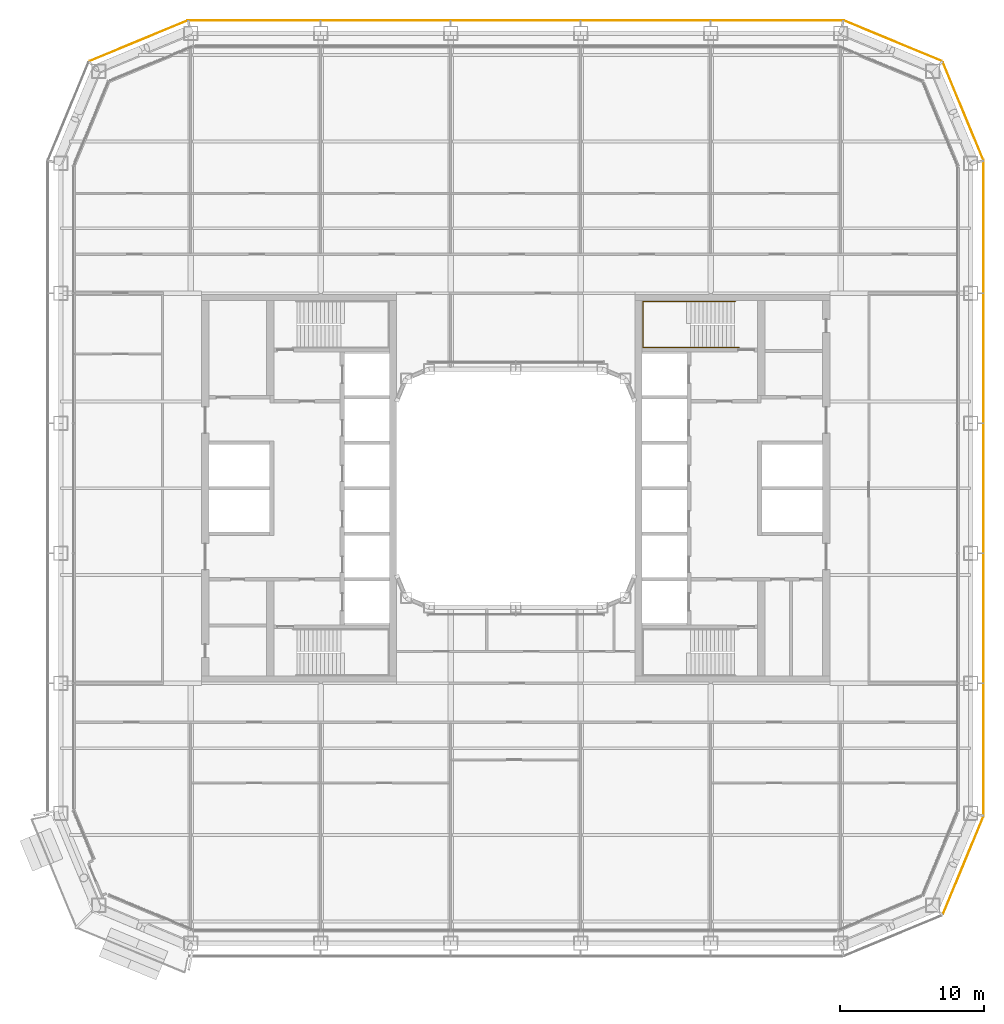
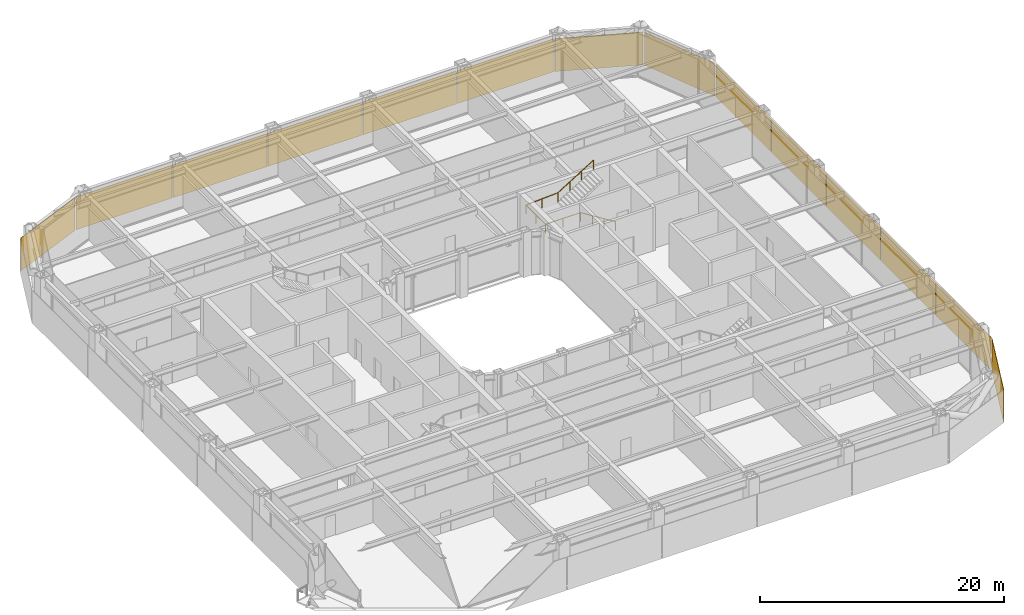
# One storey, part 26 of 27: 14 coverings, 1 railing.
"""IFC4 building model written with IfcOpenShell, lengths in metres."""

from ifc_helpers import new_model, si_unit, direction, frame, origin, origin_2d, place, context, subcontext, project, spatial, rectangle, circle, extrude, material, layer, layer_set, type_object, element, save


model = new_model("IFC4")

# Units and contexts
model_context = context("Model", 3, precision=1e-05, world=origin(), true_north=direction((0.0, 1.0)))
body_context = subcontext(model_context, "Body", "Model", "MODEL_VIEW")
ifc_project = project(units=[si_unit("LENGTHUNIT", "METRE"), si_unit("AREAUNIT", "SQUARE_METRE"), si_unit("VOLUMEUNIT", "CUBIC_METRE"), si_unit("PLANEANGLEUNIT", "RADIAN"), si_unit("MASSUNIT", "GRAM", prefix="KILO")], contexts=[model_context])

# Site, building, storey
site_placement = place(None, origin())
site = spatial("IfcSite", under=ifc_project, at=site_placement, CompositionType="ELEMENT")
building_placement = place(site_placement, origin())
building = spatial("IfcBuilding", under=site, at=building_placement, Name="Siwar Civic Tower", CompositionType="ELEMENT")
storey_placement = place(building_placement, frame((0.0, 0.0, 71.699951171875)))
storey = spatial("IfcBuildingStorey", under=building, at=storey_placement, Name="L15", CompositionType="ELEMENT", Elevation=71.699951171875)

# Railing
ifc_material_1 = material(Name="Stainless steel", Category="steel")
railing_type = type_object("IfcRailingType", Name="CORE-STAIR-HANDRAIL", PredefinedType="HANDRAIL", material=ifc_material_1)
railing_placement = place(storey_placement, frame((15.449951171875, 9.758056640625, 0.173095703125)))
element("IfcRailing", 1, at=railing_placement, inside=storey, type_object=railing_type, Name="Stair handrail ST3", PredefinedType="HANDRAIL", context=body_context, shape_type="SweptSolid", body=[
    extrude(circle(Radius=0.02001953125, at=origin_2d()), frame((0.0, 0.0, 0.8798828125), z_axis=(-0.847063342986, 0.0, 0.531491950051), x_axis=(0.0, -1.0, 0.0)), (0.0, 0.0, 1.0), 3.90771484375),
    extrude(circle(Radius=0.02001953125, at=origin_2d()), frame((-3.31005859375, 0.0, 2.956787109375), z_axis=(-1.0, 0.0, 0.0), x_axis=(0.0, -1.0, 0.0)), (0.0, 0.0, 1.0), 3.331787109375),
    extrude(circle(Radius=0.02001953125, at=origin_2d()), frame((-6.641845703125, 0.0, 2.956787109375), z_axis=(0.0, 1.0, 0.0), x_axis=(-1.0, 0.0, 0.0)), (0.0, 0.0, 1.0), 3.183837890625),
    extrude(circle(Radius=0.02001953125, at=origin_2d()), frame((-6.641845703125, 3.183837890625, 2.956787109375), z_axis=(0.99837434197, 0.0, 0.056997134106), x_axis=(0.0, 1.0, 0.0)), (0.0, 0.0, 1.0), 3.036865234375),
    extrude(circle(Radius=0.02001953125, at=origin_2d()), frame((-3.60986328125, 3.183837890625, 3.1298828125), z_axis=(0.850606129759, 0.0, 0.525803396734), x_axis=(0.0, 1.0, 0.0)), (0.0, 0.0, 1.0), 3.949951171875),
    extrude(circle(Radius=0.02001953125, at=origin_2d()), origin(), (0.0, 0.0, 1.0), 0.85986328125),
    extrude(circle(Radius=0.02001953125, at=origin_2d()), frame((-1.103271484375, 0.0, 0.6923828125)), (0.0, 0.0, 1.0), 0.85986328125),
    extrude(circle(Radius=0.02001953125, at=origin_2d()), frame((-2.206787109375, 0.0, 1.384521484375)), (0.0, 0.0, 1.0), 0.85986328125),
    extrude(circle(Radius=0.02001953125, at=origin_2d()), frame((-3.31005859375, 0.0, 2.076904296875)), (0.0, 0.0, 1.0), 0.85986328125),
    extrude(circle(Radius=0.02001953125, at=origin_2d()), frame((-4.97607421875, 0.0, 2.076904296875)), (0.0, 0.0, 1.0), 0.85986328125),
    extrude(circle(Radius=0.02001953125, at=origin_2d()), frame((-6.641845703125, 0.0, 2.076904296875)), (0.0, 0.0, 1.0), 0.85986328125),
    extrude(circle(Radius=0.02001953125, at=origin_2d()), frame((-6.641845703125, 1.591796875, 2.076904296875)), (0.0, 0.0, 1.0), 0.85986328125),
    extrude(circle(Radius=0.02001953125, at=origin_2d()), frame((-6.641845703125, 3.183837890625, 2.076904296875)), (0.0, 0.0, 1.0), 0.85986328125),
    extrude(circle(Radius=0.02001953125, at=origin_2d()), frame((-5.1259765625, 3.183837890625, 2.16357421875)), (0.0, 0.0, 1.0), 0.85986328125),
    extrude(circle(Radius=0.02001953125, at=origin_2d()), frame((-3.60986328125, 3.183837890625, 2.25)), (0.0, 0.0, 1.0), 0.85986328125),
    extrude(circle(Radius=0.02001953125, at=origin_2d()), frame((-2.489990234375, 3.183837890625, 2.9423828125)), (0.0, 0.0, 1.0), 0.85986328125),
    extrude(circle(Radius=0.02001953125, at=origin_2d()), frame((-1.369873046875, 3.183837890625, 3.634521484375)), (0.0, 0.0, 1.0), 0.85986328125),
    extrude(circle(Radius=0.02001953125, at=origin_2d()), frame((-0.25, 3.183837890625, 4.326904296875)), (0.0, 0.0, 1.0), 0.85986328125),
])

# Coverings
ifc_material_2 = material(Name="Perforated aluminium cassette, pale metal", Category="aluminium")
ifc_layer_1 = layer(ifc_material_2, 0.0400390625)
ifc_layer_set_1 = layer_set([ifc_layer_1], Name="Perforated aluminium cassette, pale metal")
covering_type_1 = type_object("IfcCoveringType", Name="ENV-OUTER SKIN OS-1", PredefinedType="CLADDING", material=ifc_layer_set_1)
covering_1_placement = place(storey_placement, frame((32.39990234375, -18.07958984375, -0.14990234375), z_axis=(0.0, 0.0, 1.0), x_axis=(0.0, 1.0, 0.0)))
element("IfcCovering", 2, at=covering_1_placement, inside=storey, type_object=covering_type_1, Name="OUTER SKIN OS-1 E 1", PredefinedType="CLADDING", context=body_context, shape_type="SweptSolid", body=[
    extrude(rectangle(XDim=9.05908203125, YDim=0.0400390625, at=origin_2d()), origin(), (0.0, 0.0, 1.0), 3.300048828125),
])
for number, where, z_axis, x_axis, name in (
    (3, (32.39990234375, -9.0, -0.14990234375), (0.0, 0.0, 1.0), (0.0, 1.0, 0.0), "OUTER SKIN OS-1 E 2"),
    (4, (32.39990234375, 0.0, -0.14990234375), (0.0, 0.0, 1.0), (0.0, 1.0, 0.0), "OUTER SKIN OS-1 E 3"),
    (5, (32.39990234375, 9.0, -0.14990234375), (0.0, 0.0, 1.0), (0.0, 1.0, 0.0), "OUTER SKIN OS-1 E 4"),
):
    element("IfcCovering", number, at=place(storey_placement, frame(where, z_axis=z_axis, x_axis=x_axis)), inside=storey, type_object=covering_type_1, Name=name, PredefinedType="CLADDING", context=body_context, shape_type="SweptSolid", body=[
        extrude(rectangle(XDim=8.89990234375, YDim=0.0400390625, at=origin_2d()), origin(), (0.0, 0.0, 1.0), 3.300048828125),
    ])
covering_2_placement = place(storey_placement, frame((32.39990234375, 18.07958984375, -0.14990234375), z_axis=(0.0, 0.0, 1.0), x_axis=(0.0, 1.0, 0.0)))
element("IfcCovering", 6, at=covering_2_placement, inside=storey, type_object=covering_type_1, Name="OUTER SKIN OS-1 E 5", PredefinedType="CLADDING", context=body_context, shape_type="SweptSolid", body=[
    extrude(rectangle(XDim=9.05908203125, YDim=0.0400390625, at=origin_2d()), origin(), (0.0, 0.0, 1.0), 3.300048828125),
])
for number, where, z_axis, x_axis, name in (
    (7, (30.976318359375, 26.115966796875, -0.14990234375), (0.0, 0.0, 1.0), (-0.382683432365, 0.923879532511, 0.0), "OUTER SKIN OS-1 NE1 1"),
    (8, (26.115966796875, 30.976318359375, -0.14990234375), (0.0, 0.0, 1.0), (-0.923879532511, 0.382683432365, 0.0), "OUTER SKIN OS-1 NE2 1"),
):
    element("IfcCovering", number, at=place(storey_placement, frame(where, z_axis=z_axis, x_axis=x_axis)), inside=storey, type_object=covering_type_1, Name=name, PredefinedType="CLADDING", context=body_context, shape_type="SweptSolid", body=[
        extrude(rectangle(XDim=7.300048828125, YDim=0.0400390625, at=origin_2d()), origin(), (0.0, 0.0, 1.0), 3.300048828125),
    ])
covering_3_placement = place(storey_placement, frame((18.07958984375, 32.39990234375, -0.14990234375), z_axis=(0.0, 0.0, 1.0), x_axis=(-1.0, 0.0, 0.0)))
element("IfcCovering", 9, at=covering_3_placement, inside=storey, type_object=covering_type_1, Name="OUTER SKIN OS-1 N 1", PredefinedType="CLADDING", context=body_context, shape_type="SweptSolid", body=[
    extrude(rectangle(XDim=9.05908203125, YDim=0.0400390625, at=origin_2d()), origin(), (0.0, 0.0, 1.0), 3.300048828125),
])
for number, where, z_axis, x_axis, name in (
    (10, (9.0, 32.39990234375, -0.14990234375), (0.0, 0.0, 1.0), (-1.0, 0.0, 0.0), "OUTER SKIN OS-1 N 2"),
    (11, (0.0, 32.39990234375, -0.14990234375), (0.0, 0.0, 1.0), (-1.0, 0.0, 0.0), "OUTER SKIN OS-1 N 3"),
    (12, (-9.0, 32.39990234375, -0.14990234375), (0.0, 0.0, 1.0), (-1.0, 0.0, 0.0), "OUTER SKIN OS-1 N 4"),
):
    element("IfcCovering", number, at=place(storey_placement, frame(where, z_axis=z_axis, x_axis=x_axis)), inside=storey, type_object=covering_type_1, Name=name, PredefinedType="CLADDING", context=body_context, shape_type="SweptSolid", body=[
        extrude(rectangle(XDim=8.89990234375, YDim=0.0400390625, at=origin_2d()), origin(), (0.0, 0.0, 1.0), 3.300048828125),
    ])
covering_4_placement = place(storey_placement, frame((-18.07958984375, 32.39990234375, -0.14990234375), z_axis=(0.0, 0.0, 1.0), x_axis=(-1.0, 0.0, 0.0)))
element("IfcCovering", 13, at=covering_4_placement, inside=storey, type_object=covering_type_1, Name="OUTER SKIN OS-1 N 5", PredefinedType="CLADDING", context=body_context, shape_type="SweptSolid", body=[
    extrude(rectangle(XDim=9.05908203125, YDim=0.0400390625, at=origin_2d()), origin(), (0.0, 0.0, 1.0), 3.300048828125),
])
covering_5_placement = place(storey_placement, frame((-26.115966796875, 30.976318359375, -0.14990234375), z_axis=(0.0, 0.0, 1.0), x_axis=(-0.923879532511, -0.382683432365, 0.0)))
element("IfcCovering", 14, at=covering_5_placement, inside=storey, type_object=covering_type_1, Name="OUTER SKIN OS-1 NW1 1", PredefinedType="CLADDING", context=body_context, shape_type="SweptSolid", body=[
    extrude(rectangle(XDim=7.300048828125, YDim=0.0400390625, at=origin_2d()), origin(), (0.0, 0.0, 1.0), 3.300048828125),
])
ifc_material_3 = material(Name="Perforated aluminium cassette, pale metal", Category="aluminium")
ifc_layer_2 = layer(ifc_material_3, 0.044921875)
ifc_layer_set_2 = layer_set([ifc_layer_2], Name="Perforated aluminium cassette, pale metal")
covering_type_2 = type_object("IfcCoveringType", Name="ENV-OUTER SKIN OS-2", PredefinedType="CLADDING", material=ifc_layer_set_2)
covering_6_placement = place(storey_placement, frame((30.976318359375, -26.115966796875, -0.14990234375), z_axis=(0.0, 0.0, 1.0), x_axis=(0.382683432365, 0.923879532511, 0.0)))
element("IfcCovering", 15, at=covering_6_placement, inside=storey, type_object=covering_type_2, Name="OUTER SKIN OS-2 SE2 1", PredefinedType="CLADDING", context=body_context, shape_type="SweptSolid", body=[
    extrude(rectangle(XDim=7.300048828125, YDim=0.044921875, at=origin_2d()), origin(), (0.0, 0.0, 1.0), 3.300048828125),
])

save(model, "model.ifc")
